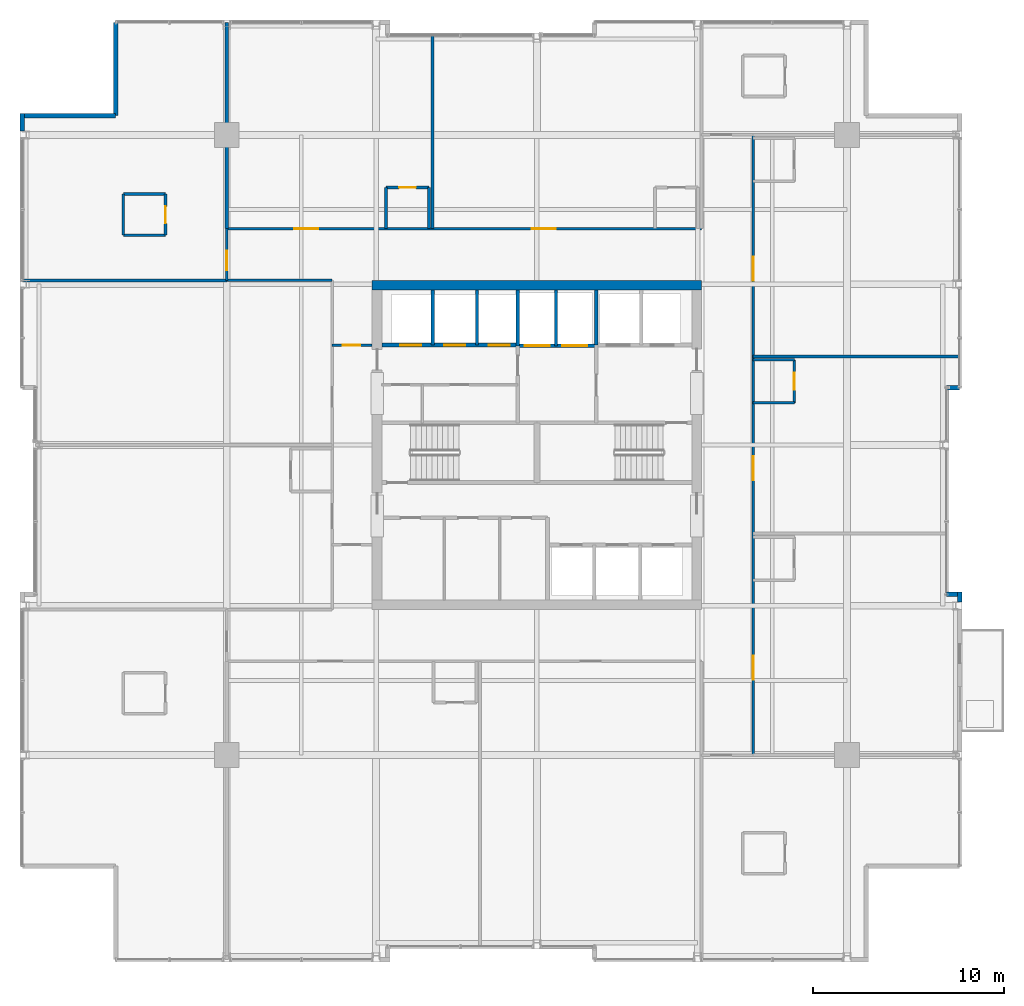
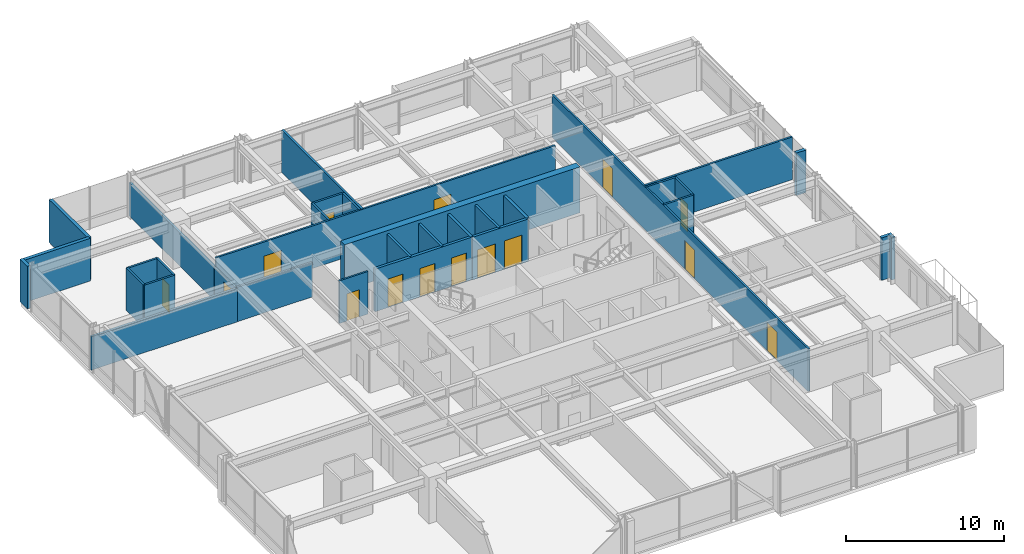
# One storey, part 29 of 33: 33 walls, 15 doors, 15 openings.
"""IFC4 building model written with IfcOpenShell, lengths in metres."""

import ifcopenshell
import ifcopenshell.guid

model = None  # the IFC model being written
_history = None  # IfcOwnerHistory: only IFC2X3 demands one
_inside = {}  # id of a spatial element -> (the spatial element, [elements in it])
_under = {}  # id of a project, library or spatial element -> (it, [spatial elements below it])
_declared = {}  # id of a project -> (the project, [libraries it declares])
_typed = {}  # id of a type object -> (the type object, [elements of that type])
_made_of = {}  # id of a material, layer set ... -> (it, [elements and type objects made of it])


def new_model(schema):
    """Start an empty IFC model of exactly this schema.

    Asked for "IFC4X3", IfcOpenShell would pick the latest addendum, in which some entities
    have other attributes; the version numbers below select the first issue.
    IFC2X3 requires an IfcOwnerHistory on every rooted entity: one is made here for all.
    """
    global model, _history
    if schema == "IFC4X3":
        model = ifcopenshell.file(schema_version=(4, 3, 0, 0))
    else:
        model = ifcopenshell.file(schema=schema)
    _inside.clear()
    _under.clear()
    _declared.clear()
    _typed.clear()
    _made_of.clear()
    _history = None
    if model.schema == "IFC2X3":
        org = make("IfcOrganization", Name="unknown")
        user = make(
            "IfcPersonAndOrganization",
            ThePerson=make("IfcPerson", FamilyName="unknown"),
            TheOrganization=org,
        )
        app = make(
            "IfcApplication",
            ApplicationDeveloper=org,
            Version="unknown",
            ApplicationFullName="unknown",
            ApplicationIdentifier="unknown",
        )
        _history = make(
            "IfcOwnerHistory",
            OwningUser=user,
            OwningApplication=app,
            ChangeAction="ADDED",
            CreationDate=0,
        )
    return model


def make(cls, **values):
    """One entity of the class cls with the attributes given. An attribute that is None is left unset."""
    return model.create_entity(
        cls, **{name: value for name, value in values.items() if value is not None}
    )


def rooted(cls, **values):
    """An entity with a GlobalId (a new one), such as an element, a storey or a relation."""
    return make(cls, GlobalId=ifcopenshell.guid.new(), OwnerHistory=_history, **values)


def si_unit(unit_type, name, prefix=None):
    """IfcSIUnit, for example si_unit("LENGTHUNIT", "METRE", prefix="MILLI")."""
    return make("IfcSIUnit", UnitType=unit_type, Prefix=prefix, Name=name)


def assignment(units):
    """IfcUnitAssignment: the units of a project."""
    return None if units is None else make("IfcUnitAssignment", Units=units)


def point(xyz):
    """IfcCartesianPoint."""
    return None if xyz is None else make("IfcCartesianPoint", Coordinates=xyz)


def direction(xyz):
    """IfcDirection."""
    return None if xyz is None else make("IfcDirection", DirectionRatios=xyz)


def frame(location, z_axis=None, x_axis=None):
    """IfcAxis2Placement3D, a coordinate frame: its origin and axes. An axis left out is left unset."""
    return make(
        "IfcAxis2Placement3D",
        Location=point(location),
        Axis=direction(z_axis),
        RefDirection=direction(x_axis),
    )


def frame_2d(location, x_axis=None):
    """IfcAxis2Placement2D, a coordinate frame in the plane: its origin and x axis."""
    return make(
        "IfcAxis2Placement2D", Location=point(location), RefDirection=direction(x_axis)
    )


def origin():
    """The frame at (0, 0, 0) with its axes left unset."""
    return frame((0.0, 0.0, 0.0))


def place(relative_to, where):
    """IfcLocalPlacement: puts the frame where relative to a parent placement (None: the world)."""
    return make(
        "IfcLocalPlacement", PlacementRelTo=relative_to, RelativePlacement=where
    )


def context(
    kind, dimensions, precision=None, world=None, true_north=None, identifier=None
):
    """IfcGeometricRepresentationContext, for example the 3D "Model" context."""
    return make(
        "IfcGeometricRepresentationContext",
        ContextIdentifier=identifier,
        ContextType=kind,
        CoordinateSpaceDimension=dimensions,
        Precision=precision,
        WorldCoordinateSystem=world,
        TrueNorth=true_north,
    )


def subcontext(parent, identifier, kind, view, scale=None):
    """IfcGeometricRepresentationSubContext, for example "Body" below "Model"."""
    return make(
        "IfcGeometricRepresentationSubContext",
        ContextIdentifier=identifier,
        ContextType=kind,
        ParentContext=parent,
        TargetScale=scale,
        TargetView=view,
    )


def project(units=None, contexts=None):
    """IfcProject with its units and contexts."""
    return rooted(
        "IfcProject",
        Name="project",
        RepresentationContexts=contexts,
        UnitsInContext=assignment(units),
    )


def spatial(cls, under=None, at=None, **own):
    """A site, building, storey or space (cls), placed at a placement, below another one or the project."""
    s = rooted(cls, ObjectPlacement=at, **own)
    if under is not None:
        _under.setdefault(under.id(), (under, []))[1].append(s)
    return s


def profile(cls, at=None, kind="AREA", **sizes):
    """A parametric profile (cls). Its sizes go by their IFC names, for example OverallWidth=200.0."""
    return make(cls, ProfileType=kind, Position=at, **sizes)


def rectangle(**sizes):
    """IfcRectangleProfileDef."""
    return profile("IfcRectangleProfileDef", **sizes)


def extrude(swept, where, along, depth):
    """IfcExtrudedAreaSolid: the profile swept, set in the frame where, extruded along a direction by depth."""
    return make(
        "IfcExtrudedAreaSolid",
        SweptArea=swept,
        Position=where,
        ExtrudedDirection=direction(along),
        Depth=depth,
    )


def shape(context_of_items, identifier, shape_type, items):
    """IfcShapeRepresentation: the items that make up one representation, for example the "Body"."""
    return make(
        "IfcShapeRepresentation",
        ContextOfItems=context_of_items,
        RepresentationIdentifier=identifier,
        RepresentationType=shape_type,
        Items=items,
    )


def material(Name=None, Category=None):
    """IfcMaterial."""
    return make("IfcMaterial", Name=Name, Category=Category)


def layer(
    of_material, thickness, ventilated=None, Name=None, Category=None, Priority=None
):
    """IfcMaterialLayer: one layer of a wall or slab, of a material (None: an air gap)."""
    return make(
        "IfcMaterialLayer",
        Material=of_material,
        LayerThickness=thickness,
        IsVentilated=ventilated,
        Name=Name,
        Category=Category,
        Priority=Priority,
    )


def layer_set(layers, Name=None):
    """IfcMaterialLayerSet."""
    return make("IfcMaterialLayerSet", MaterialLayers=layers, LayerSetName=Name)


def made_of(thing, what):
    """Note that an element or type object is made of a material, layer set ...; save() writes the relation."""
    if what is not None:
        _made_of.setdefault(what.id(), (what, []))[1].append(thing)
    return thing


def type_object(cls, material=None, **own):
    """A type object (cls), such as IfcWallType, which elements share."""
    return made_of(rooted(cls, **own), material)


def element(
    cls,
    number,
    at=None,
    inside=None,
    cuts=None,
    type_object=None,
    material=None,
    context=None,
    identifier="Body",
    shape_type=None,
    held_by="IfcProductDefinitionShape",
    body=None,
    shapes=None,
    **own,
):
    """One element of the class cls, such as IfcWall. Its Tag is "e" and its number.

    at: its placement. inside: the storey or other place that contains it. cuts: it is an
    opening in that element (IfcRelVoidsElement). A single representation is given by context,
    identifier, shape_type and body (its items); several are given by shapes. held_by: the class
    of the entity that holds the representations. save() writes the other relations.
    """
    e = rooted(cls, Tag="e%d" % number, ObjectPlacement=at, **own)
    if body is not None:
        shapes = [shape(context, identifier, shape_type, body)]
    if shapes is not None:
        e.Representation = make(held_by, Representations=shapes)
    if inside is not None:
        _inside.setdefault(inside.id(), (inside, []))[1].append(e)
    if cuts is not None:
        rooted(
            "IfcRelVoidsElement", RelatingBuildingElement=cuts, RelatedOpeningElement=e
        )
    if type_object is not None:
        _typed.setdefault(type_object.id(), (type_object, []))[1].append(e)
    return made_of(e, material)


def fill(opening, filler):
    """IfcRelFillsElement: the door or window that sits in an opening."""
    return rooted(
        "IfcRelFillsElement",
        RelatingOpeningElement=opening,
        RelatedBuildingElement=filler,
    )


def aggregate(whole, parts):
    """IfcRelAggregates: a whole, such as a stair, and the parts it consists of."""
    return rooted("IfcRelAggregates", RelatingObject=whole, RelatedObjects=parts)


def save(model, path):
    """Write the relations noted so far, then the file.

    IfcRelAggregates (storeys below a building ...), IfcRelContainedInSpatialStructure (elements
    in a storey), IfcRelDefinesByType, IfcRelAssociatesMaterial and IfcRelDeclares: one each for
    every whole, place, type object, material and project.
    """
    for whole, parts in _under.values():
        aggregate(whole, parts)
    for where, things in _inside.values():
        rooted(
            "IfcRelContainedInSpatialStructure",
            RelatedElements=things,
            RelatingStructure=where,
        )
    for kind, things in _typed.values():
        rooted("IfcRelDefinesByType", RelatedObjects=things, RelatingType=kind)
    for what, things in _made_of.values():
        rooted("IfcRelAssociatesMaterial", RelatedObjects=things, RelatingMaterial=what)
    for by, libraries in _declared.values():
        rooted("IfcRelDeclares", RelatingContext=by, RelatedDefinitions=libraries)
    model.write(path)


model = new_model("IFC4")

# Units and contexts
model_context = context("Model", 3, precision=1e-05, world=origin(), true_north=direction((0.0, 1.0)))
body_context = subcontext(model_context, "Body", "Model", "MODEL_VIEW")
ifc_project = project(units=[si_unit("LENGTHUNIT", "METRE"), si_unit("AREAUNIT", "SQUARE_METRE"), si_unit("VOLUMEUNIT", "CUBIC_METRE"), si_unit("PLANEANGLEUNIT", "RADIAN"), si_unit("MASSUNIT", "GRAM", prefix="KILO")], contexts=[model_context])

# Site, building, storey
site_placement = place(None, origin())
site = spatial("IfcSite", under=ifc_project, at=site_placement, CompositionType="ELEMENT")
building_placement = place(site_placement, origin())
building = spatial("IfcBuilding", under=site, at=building_placement, Name="Drelvath Grand Hotel", CompositionType="ELEMENT")
storey_placement = place(building_placement, frame((0.0, 0.0, 161.050048828125)))
storey = spatial("IfcBuildingStorey", under=building, at=storey_placement, Name="L41", CompositionType="ELEMENT", Elevation=161.050048828125)

# Wall
ifc_material_1 = material(Name="Concrete C40/50", Category="concrete")
ifc_layer_1 = layer(ifc_material_1, 0.199951171875)
ifc_layer_set_1 = layer_set([ifc_layer_1], Name="Concrete C40/50")
wall_type_1 = type_object("IfcWallType", Name="Core Hoistway Fire Wall 200", PredefinedType="SOLIDWALL", material=ifc_layer_set_1)
wall_1_placement = place(storey_placement, frame((3.10009765625, 32.219970703125, 0.0), z_axis=(0.0, 0.0, 1.0), x_axis=(0.0, 1.0, 0.0)))
element("IfcWall", 1, at=wall_1_placement, inside=storey, type_object=wall_type_1, Name="L41 FSAE Hoistway West Wall", PredefinedType="SOLIDWALL", context=body_context, shape_type="SweptSolid", body=[
    extrude(rectangle(XDim=2.880126953125, YDim=0.199951171875, at=frame_2d((1.43994140625, 0.0))), origin(), (0.0, 0.0, 1.0), 3.2900390625),
])

# Wall, openings, doors
wall_2_placement = place(storey_placement, frame((-1.0, 32.179931640625, 0.0), z_axis=(0.0, 0.0, 1.0), x_axis=(1.0, 0.0, 0.0)))
wall_2 = element("IfcWall", 2, at=wall_2_placement, inside=storey, type_object=wall_type_1, Name="L41 Service Lift Hoistway Wall", PredefinedType="SOLIDWALL", context=body_context, shape_type="SweptSolid", body=[
    extrude(rectangle(XDim=4.10009765625, YDim=0.199951171875, at=frame_2d((2.050048828125, 0.0))), origin(), (0.0, 0.0, 1.0), 3.2900390625),
])
opening_1_placement = place(wall_2_placement, frame((0.3701171875, 0.0, 0.0)))
opening_1 = element("IfcOpeningElement", 3, at=opening_1_placement, cuts=wall_2, Name="Opening LD-SV-2", PredefinedType="OPENING", context=body_context, shape_type="SweptSolid", body=[
    extrude(rectangle(XDim=1.300048828125, YDim=2.199951171875, at=frame_2d((0.64990234375, 1.10009765625))), frame((0.0, 0.10986328125, 0.0), z_axis=(0.0, -1.0, 0.0), x_axis=(1.0, 0.0, 0.0)), (0.0, 0.0, 1.0), 0.219970703125),
])
opening_2_placement = place(wall_2_placement, frame((2.330078125, 0.0, 0.0)))
opening_2 = element("IfcOpeningElement", 4, at=opening_2_placement, cuts=wall_2, Name="Opening LD-SV-1", PredefinedType="OPENING", context=body_context, shape_type="SweptSolid", body=[
    extrude(rectangle(XDim=1.300048828125, YDim=2.199951171875, at=frame_2d((0.64990234375, 1.10009765625))), frame((0.0, 0.10986328125, 0.0), z_axis=(0.0, -1.0, 0.0), x_axis=(1.0, 0.0, 0.0)), (0.0, 0.0, 1.0), 0.219970703125),
])
ifc_material_2 = material(Name="Stainless Steel S355", Category="steel")
door_type_1 = type_object("IfcDoorType", Name="Service Lift Sliding Landing Door 1300x2200", OperationType="NOTDEFINED", PredefinedType="DOOR", material=ifc_material_2)
door_1_placement = place(opening_1_placement, origin())
door_1 = element("IfcDoor", 5, at=door_1_placement, inside=storey, type_object=door_type_1, Name="L41 Lift SV-2 Landing Door", OperationType="SLIDING_TO_LEFT", OverallHeight=2.199951171875, OverallWidth=1.300048828125, PredefinedType="DOOR", context=body_context, shape_type="SweptSolid", body=[
    extrude(rectangle(XDim=1.300048828125, YDim=2.199951171875, at=frame_2d((0.64990234375, 1.10009765625))), frame((0.0, 0.02490234375, 0.0), z_axis=(0.0, -1.0, 0.0), x_axis=(1.0, 0.0, 0.0)), (0.0, 0.0, 1.0), 0.050048828125),
])
fill(opening_1, door_1)
door_2_placement = place(opening_2_placement, origin())
door_2 = element("IfcDoor", 6, at=door_2_placement, inside=storey, type_object=door_type_1, Name="L41 Lift SV-1 Landing Door", OperationType="SLIDING_TO_LEFT", OverallHeight=2.199951171875, OverallWidth=1.300048828125, PredefinedType="DOOR", context=body_context, shape_type="SweptSolid", body=[
    extrude(rectangle(XDim=1.300048828125, YDim=2.199951171875, at=frame_2d((0.64990234375, 1.10009765625))), frame((0.0, 0.02490234375, 0.0), z_axis=(0.0, -1.0, 0.0), x_axis=(1.0, 0.0, 0.0)), (0.0, 0.0, 1.0), 0.050048828125),
])
fill(opening_2, door_2)

# Wall
wall_3_placement = place(storey_placement, frame((-1.0, 32.179931640625, 0.0), z_axis=(0.0, 0.0, 1.0), x_axis=(0.0, 1.0, 0.0)))
element("IfcWall", 7, at=wall_3_placement, inside=storey, type_object=wall_type_1, Name="L41 Service Lift West Wall", PredefinedType="SOLIDWALL", context=body_context, shape_type="SweptSolid", body=[
    extrude(rectangle(XDim=2.920166015625, YDim=0.199951171875, at=frame_2d((1.4599609375, 0.0))), origin(), (0.0, 0.0, 1.0), 3.2900390625),
])

# Wall, openings, doors
wall_4_placement = place(storey_placement, frame((-8.10009765625, 32.219970703125, 0.0), z_axis=(0.0, 0.0, 1.0), x_axis=(1.0, 0.0, 0.0)))
wall_4 = element("IfcWall", 8, at=wall_4_placement, inside=storey, type_object=wall_type_1, Name="L41 Bank 3 Hoistway Wall", PredefinedType="SOLIDWALL", context=body_context, shape_type="SweptSolid", body=[
    extrude(rectangle(XDim=7.10009765625, YDim=0.199951171875, at=frame_2d((3.550048828125, 0.0))), origin(), (0.0, 0.0, 1.0), 3.2900390625),
])
opening_3_placement = place(wall_4_placement, frame((0.949951171875, 0.0, 0.0)))
opening_3 = element("IfcOpeningElement", 9, at=opening_3_placement, cuts=wall_4, Name="Opening LD-PE-7", PredefinedType="OPENING", context=body_context, shape_type="SweptSolid", body=[
    extrude(rectangle(XDim=1.10009765625, YDim=2.199951171875, at=frame_2d((0.550048828125, 1.10009765625))), frame((0.0, 0.10986328125, 0.0), z_axis=(0.0, -1.0, 0.0), x_axis=(1.0, 0.0, 0.0)), (0.0, 0.0, 1.0), 0.219970703125),
])
opening_4_placement = place(wall_4_placement, frame((3.27001953125, 0.0, 0.0)))
opening_4 = element("IfcOpeningElement", 10, at=opening_4_placement, cuts=wall_4, Name="Opening LD-PE-8", PredefinedType="OPENING", context=body_context, shape_type="SweptSolid", body=[
    extrude(rectangle(XDim=1.10009765625, YDim=2.199951171875, at=frame_2d((0.550048828125, 1.10009765625))), frame((0.0, 0.10986328125, 0.0), z_axis=(0.0, -1.0, 0.0), x_axis=(1.0, 0.0, 0.0)), (0.0, 0.0, 1.0), 0.219970703125),
])
opening_5_placement = place(wall_4_placement, frame((5.590087890625, 0.0, 0.0)))
opening_5 = element("IfcOpeningElement", 11, at=opening_5_placement, cuts=wall_4, Name="Opening LD-PE-9", PredefinedType="OPENING", context=body_context, shape_type="SweptSolid", body=[
    extrude(rectangle(XDim=1.10009765625, YDim=2.199951171875, at=frame_2d((0.550048828125, 1.10009765625))), frame((0.0, 0.10986328125, 0.0), z_axis=(0.0, -1.0, 0.0), x_axis=(1.0, 0.0, 0.0)), (0.0, 0.0, 1.0), 0.219970703125),
])
door_type_2 = type_object("IfcDoorType", Name="Passenger Lift Sliding Landing Door 1100x2200", OperationType="NOTDEFINED", PredefinedType="DOOR", material=ifc_material_2)
door_3_placement = place(opening_3_placement, origin())
door_3 = element("IfcDoor", 12, at=door_3_placement, inside=storey, type_object=door_type_2, Name="L41 Lift PE-7 Landing Door", OperationType="SLIDING_TO_LEFT", OverallHeight=2.199951171875, OverallWidth=1.10009765625, PredefinedType="DOOR", context=body_context, shape_type="SweptSolid", body=[
    extrude(rectangle(XDim=1.10009765625, YDim=2.199951171875, at=frame_2d((0.550048828125, 1.10009765625))), frame((0.0, 0.02490234375, 0.0), z_axis=(0.0, -1.0, 0.0), x_axis=(1.0, 0.0, 0.0)), (0.0, 0.0, 1.0), 0.050048828125),
])
fill(opening_3, door_3)
door_4_placement = place(opening_4_placement, origin())
door_4 = element("IfcDoor", 13, at=door_4_placement, inside=storey, type_object=door_type_2, Name="L41 Lift PE-8 Landing Door", OperationType="SLIDING_TO_LEFT", OverallHeight=2.199951171875, OverallWidth=1.10009765625, PredefinedType="DOOR", context=body_context, shape_type="SweptSolid", body=[
    extrude(rectangle(XDim=1.10009765625, YDim=2.199951171875, at=frame_2d((0.550048828125, 1.10009765625))), frame((0.0, 0.02490234375, 0.0), z_axis=(0.0, -1.0, 0.0), x_axis=(1.0, 0.0, 0.0)), (0.0, 0.0, 1.0), 0.050048828125),
])
fill(opening_4, door_4)
door_5_placement = place(opening_5_placement, origin())
door_5 = element("IfcDoor", 14, at=door_5_placement, inside=storey, type_object=door_type_2, Name="L41 Lift PE-9 Landing Door", OperationType="SLIDING_TO_LEFT", OverallHeight=2.199951171875, OverallWidth=1.10009765625, PredefinedType="DOOR", context=body_context, shape_type="SweptSolid", body=[
    extrude(rectangle(XDim=1.10009765625, YDim=2.199951171875, at=frame_2d((0.550048828125, 1.10009765625))), frame((0.0, 0.02490234375, 0.0), z_axis=(0.0, -1.0, 0.0), x_axis=(1.0, 0.0, 0.0)), (0.0, 0.0, 1.0), 0.050048828125),
])
fill(opening_5, door_5)

# Walls
ifc_material_3 = material(Name="Gypsum Fireboard Partition")
ifc_layer_2 = layer(ifc_material_3, 0.1650390625)
ifc_layer_set_2 = layer_set([ifc_layer_2], Name="Gypsum Fireboard Partition")
wall_type_2 = type_object("IfcWallType", Name="Core Shaft Partition 165", PredefinedType="PARTITIONING", material=ifc_layer_set_2)
wall_5_placement = place(storey_placement, frame((1.0, 32.179931640625, 0.0), z_axis=(0.0, 0.0, 1.0), x_axis=(0.0, 1.0, 0.0)))
element("IfcWall", 15, at=wall_5_placement, inside=storey, type_object=wall_type_2, Name="L41 Service Lift Divider", PredefinedType="PARTITIONING", context=body_context, shape_type="SweptSolid", body=[
    extrude(rectangle(XDim=2.920166015625, YDim=0.1650390625, at=frame_2d((1.4599609375, 0.0))), origin(), (0.0, 0.0, 1.0), 3.2900390625),
])
for number, where, z_axis, x_axis, name in (
    (16, (-5.43994140625, 32.219970703125, 0.0), (0.0, 0.0, 1.0), (0.0, 1.0, 0.0), "L41 Lift PE-7/8 Divider"),
    (17, (-3.1201171875, 32.219970703125, 0.0), (0.0, 0.0, 1.0), (0.0, 1.0, 0.0), "L41 Lift PE-8/9 Divider"),
):
    element("IfcWall", number, at=place(storey_placement, frame(where, z_axis=z_axis, x_axis=x_axis)), inside=storey, type_object=wall_type_2, Name=name, PredefinedType="PARTITIONING", context=body_context, shape_type="SweptSolid", body=[
        extrude(rectangle(XDim=2.880126953125, YDim=0.1650390625, at=frame_2d((1.43994140625, 0.0))), origin(), (0.0, 0.0, 1.0), 3.2900390625),
    ])

# Wall, opening, door
ifc_layer_3 = layer(ifc_material_3, 0.135009765625)
ifc_layer_set_3 = layer_set([ifc_layer_3], Name="Gypsum Fireboard Partition")
wall_type_3 = type_object("IfcWallType", Name="Corridor Fire Barrier Wall 135", PredefinedType="PARTITIONING", material=ifc_layer_set_3)
wall_6_placement = place(storey_placement, frame((-10.699951171875, 32.199951171875, 0.0), z_axis=(0.0, 0.0, 1.0), x_axis=(1.0, 0.0, 0.0)))
wall_6 = element("IfcWall", 18, at=wall_6_placement, inside=storey, type_object=wall_type_3, Name="L41 West Foyer North Wall", PredefinedType="PARTITIONING", context=body_context, shape_type="SweptSolid", body=[
    extrude(rectangle(XDim=2.099853515625, YDim=0.135009765625, at=frame_2d((1.0498046875, 0.0))), origin(), (0.0, 0.0, 1.0), 3.2900390625),
])
opening_6_placement = place(wall_6_placement, frame((0.550048828125, 0.0, 0.0)))
opening_6 = element("IfcOpeningElement", 19, at=opening_6_placement, cuts=wall_6, Name="Opening D-T3G2-025", PredefinedType="OPENING", context=body_context, shape_type="SweptSolid", body=[
    extrude(rectangle(XDim=0.919921875, YDim=2.10009765625, at=frame_2d((0.4599609375, 1.050048828125))), frame((0.0, 0.077392578125, 0.0), z_axis=(0.0, -1.0, 0.0), x_axis=(1.0, 0.0, 0.0)), (0.0, 0.0, 1.0), 0.155029296875),
])
ifc_material_4 = material(Name="Painted Steel S275", Category="steel")
door_type_3 = type_object("IfcDoorType", Name="Staff Utility Door 920x2100", OperationType="NOTDEFINED", PredefinedType="DOOR", material=ifc_material_4)
door_6_placement = place(opening_6_placement, origin())
door_6 = element("IfcDoor", 20, at=door_6_placement, inside=storey, type_object=door_type_3, Name="L41 West Pantry Door", OperationType="SINGLE_SWING_LEFT", OverallHeight=2.10009765625, OverallWidth=0.919921875, PredefinedType="DOOR", context=body_context, shape_type="SweptSolid", body=[
    extrude(rectangle(XDim=0.919921875, YDim=2.10009765625, at=frame_2d((0.4599609375, 1.050048828125))), frame((0.0, 0.02490234375, 0.0), z_axis=(0.0, -1.0, 0.0), x_axis=(1.0, 0.0, 0.0)), (0.0, 0.0, 1.0), 0.050048828125),
])
fill(opening_6, door_6)

# Wall
wall_7_placement = place(storey_placement, frame((-16.199951171875, 35.60009765625, 0.0), z_axis=(0.0, 0.0, 1.0), x_axis=(1.0, 0.0, 0.0)))
element("IfcWall", 21, at=wall_7_placement, inside=storey, type_object=wall_type_3, Name="L41 NW Stub South Wall", PredefinedType="PARTITIONING", context=body_context, shape_type="SweptSolid", body=[
    extrude(rectangle(XDim=5.5, YDim=0.135009765625, at=frame_2d((2.75, 0.0))), origin(), (0.0, 0.0, 1.0), 2.667236328125),
])

# Wall, openings, doors
wall_8_placement = place(storey_placement, frame((-16.199951171875, 38.300048828125, 0.0), z_axis=(0.0, 0.0, 1.0), x_axis=(1.0, 0.0, 0.0)))
wall_8 = element("IfcWall", 22, at=wall_8_placement, inside=storey, type_object=wall_type_3, Name="L41 North Stub Corridor Wall", PredefinedType="PARTITIONING", context=body_context, shape_type="SweptSolid", body=[
    extrude(rectangle(XDim=24.800048828125, YDim=0.135009765625, at=frame_2d((12.39990234375, 0.0))), origin(), (0.0, 0.0, 1.0), 3.2900390625),
])
opening_7_placement = place(wall_8_placement, frame((3.5283203125, 0.0, 0.0)))
opening_7 = element("IfcOpeningElement", 23, at=opening_7_placement, cuts=wall_8, Name="Opening D-T3G2-038", PredefinedType="OPENING", context=body_context, shape_type="SweptSolid", body=[
    extrude(rectangle(XDim=1.260009765625, YDim=2.199951171875, at=frame_2d((0.6298828125, 1.10009765625))), frame((0.0, 0.077392578125, 0.0), z_axis=(0.0, -1.0, 0.0), x_axis=(1.0, 0.0, 0.0)), (0.0, 0.0, 1.0), 0.155029296875),
])
opening_8_placement = place(wall_8_placement, frame((15.928466796875, 0.0, 0.0)))
opening_8 = element("IfcOpeningElement", 24, at=opening_8_placement, cuts=wall_8, Name="Opening D-T3G2-040", PredefinedType="OPENING", context=body_context, shape_type="SweptSolid", body=[
    extrude(rectangle(XDim=1.260009765625, YDim=2.199951171875, at=frame_2d((0.6298828125, 1.10009765625))), frame((0.0, 0.077392578125, 0.0), z_axis=(0.0, -1.0, 0.0), x_axis=(1.0, 0.0, 0.0)), (0.0, 0.0, 1.0), 0.155029296875),
])
ifc_material_5 = material(Name="Hardwood Walnut Timber", Category="wood")
door_type_4 = type_object("IfcDoorType", Name="Suite Entrance Fire Door 1260x2200", OperationType="NOTDEFINED", PredefinedType="DOOR", material=ifc_material_5)
door_7_placement = place(opening_7_placement, origin())
door_7 = element("IfcDoor", 25, at=door_7_placement, inside=storey, type_object=door_type_4, Name="L41 Executive Suite Entry Door", OperationType="SINGLE_SWING_RIGHT", OverallHeight=2.199951171875, OverallWidth=1.260009765625, PredefinedType="DOOR", context=body_context, shape_type="SweptSolid", body=[
    extrude(rectangle(XDim=1.260009765625, YDim=2.199951171875, at=frame_2d((0.6298828125, 1.10009765625))), frame((0.0, 0.02490234375, 0.0), z_axis=(0.0, -1.0, 0.0), x_axis=(1.0, 0.0, 0.0)), (0.0, 0.0, 1.0), 0.050048828125),
])
fill(opening_7, door_7)
door_8_placement = place(opening_8_placement, origin())
door_8 = element("IfcDoor", 26, at=door_8_placement, inside=storey, type_object=door_type_4, Name="L41 Executive Suite Entry Door", OperationType="SINGLE_SWING_RIGHT", OverallHeight=2.199951171875, OverallWidth=1.260009765625, PredefinedType="DOOR", context=body_context, shape_type="SweptSolid", body=[
    extrude(rectangle(XDim=1.260009765625, YDim=2.199951171875, at=frame_2d((0.6298828125, 1.10009765625))), frame((0.0, 0.02490234375, 0.0), z_axis=(0.0, -1.0, 0.0), x_axis=(1.0, 0.0, 0.0)), (0.0, 0.0, 1.0), 0.050048828125),
])
fill(opening_8, door_8)

wall_9_placement = place(storey_placement, frame((11.300048828125, 10.800048828125, 0.0), z_axis=(0.0, 0.0, 1.0), x_axis=(0.0, 1.0, 0.0)))
wall_9 = element("IfcWall", 27, at=wall_9_placement, inside=storey, type_object=wall_type_3, Name="L41 East Spine Corridor Wall", PredefinedType="PARTITIONING", context=body_context, shape_type="SweptSolid", body=[
    extrude(rectangle(XDim=32.39990234375, YDim=0.135009765625, at=frame_2d((16.199951171875, 0.0))), origin(), (0.0, 0.0, 1.0), 3.2900390625),
])
opening_9_placement = place(wall_9_placement, frame((3.940673828125, 0.0, 0.0)))
opening_9 = element("IfcOpeningElement", 28, at=opening_9_placement, cuts=wall_9, Name="Opening D-T3G2-042", PredefinedType="OPENING", context=body_context, shape_type="SweptSolid", body=[
    extrude(rectangle(XDim=1.260009765625, YDim=2.199951171875, at=frame_2d((0.6298828125, 1.10009765625))), frame((0.0, 0.077392578125, 0.0), z_axis=(0.0, -1.0, 0.0), x_axis=(1.0, 0.0, 0.0)), (0.0, 0.0, 1.0), 0.155029296875),
])
opening_10_placement = place(wall_9_placement, frame((14.35498046875, 0.0, 0.0)))
opening_10 = element("IfcOpeningElement", 29, at=opening_10_placement, cuts=wall_9, Name="Opening D-T3G2-044", PredefinedType="OPENING", context=body_context, shape_type="SweptSolid", body=[
    extrude(rectangle(XDim=1.260009765625, YDim=2.199951171875, at=frame_2d((0.6298828125, 1.10009765625))), frame((0.0, 0.077392578125, 0.0), z_axis=(0.0, -1.0, 0.0), x_axis=(1.0, 0.0, 0.0)), (0.0, 0.0, 1.0), 0.155029296875),
])
opening_11_placement = place(wall_9_placement, frame((24.769287109375, 0.0, 0.0)))
opening_11 = element("IfcOpeningElement", 30, at=opening_11_placement, cuts=wall_9, Name="Opening D-T3G2-046", PredefinedType="OPENING", context=body_context, shape_type="SweptSolid", body=[
    extrude(rectangle(XDim=1.260009765625, YDim=2.199951171875, at=frame_2d((0.6298828125, 1.10009765625))), frame((0.0, 0.077392578125, 0.0), z_axis=(0.0, -1.0, 0.0), x_axis=(1.0, 0.0, 0.0)), (0.0, 0.0, 1.0), 0.155029296875),
])
door_9_placement = place(opening_9_placement, origin())
door_9 = element("IfcDoor", 31, at=door_9_placement, inside=storey, type_object=door_type_4, Name="L41 Executive Suite Entry Door", OperationType="SINGLE_SWING_RIGHT", OverallHeight=2.199951171875, OverallWidth=1.260009765625, PredefinedType="DOOR", context=body_context, shape_type="SweptSolid", body=[
    extrude(rectangle(XDim=1.260009765625, YDim=2.199951171875, at=frame_2d((0.6298828125, 1.10009765625))), frame((0.0, 0.02490234375, 0.0), z_axis=(0.0, -1.0, 0.0), x_axis=(1.0, 0.0, 0.0)), (0.0, 0.0, 1.0), 0.050048828125),
])
fill(opening_9, door_9)
door_10_placement = place(opening_10_placement, origin())
door_10 = element("IfcDoor", 32, at=door_10_placement, inside=storey, type_object=door_type_4, Name="L41 Executive Suite Entry Door", OperationType="SINGLE_SWING_RIGHT", OverallHeight=2.199951171875, OverallWidth=1.260009765625, PredefinedType="DOOR", context=body_context, shape_type="SweptSolid", body=[
    extrude(rectangle(XDim=1.260009765625, YDim=2.199951171875, at=frame_2d((0.6298828125, 1.10009765625))), frame((0.0, 0.02490234375, 0.0), z_axis=(0.0, -1.0, 0.0), x_axis=(1.0, 0.0, 0.0)), (0.0, 0.0, 1.0), 0.050048828125),
])
fill(opening_10, door_10)
door_11_placement = place(opening_11_placement, origin())
door_11 = element("IfcDoor", 33, at=door_11_placement, inside=storey, type_object=door_type_4, Name="L41 Executive Suite Entry Door", OperationType="SINGLE_SWING_RIGHT", OverallHeight=2.199951171875, OverallWidth=1.260009765625, PredefinedType="DOOR", context=body_context, shape_type="SweptSolid", body=[
    extrude(rectangle(XDim=1.260009765625, YDim=2.199951171875, at=frame_2d((0.6298828125, 1.10009765625))), frame((0.0, 0.02490234375, 0.0), z_axis=(0.0, -1.0, 0.0), x_axis=(1.0, 0.0, 0.0)), (0.0, 0.0, 1.0), 0.050048828125),
])
fill(opening_11, door_11)

# Wall, opening, door
wall_10_placement = place(storey_placement, frame((-16.199951171875, 35.60009765625, 0.0), z_axis=(0.0, 0.0, 1.0), x_axis=(0.0, 1.0, 0.0)))
wall_10 = element("IfcWall", 34, at=wall_10_placement, inside=storey, type_object=wall_type_3, Name="L41 North Stub West End", PredefinedType="PARTITIONING", context=body_context, shape_type="SweptSolid", body=[
    extrude(rectangle(XDim=2.699951171875, YDim=0.135009765625, at=frame_2d((1.35009765625, 0.0))), origin(), (0.0, 0.0, 1.0), 2.57958984375),
])
opening_12_placement = place(wall_10_placement, frame((0.52001953125, 0.0, 0.0)))
opening_12 = element("IfcOpeningElement", 35, at=opening_12_placement, cuts=wall_10, Name="Opening D-T3G2-029", PredefinedType="OPENING", context=body_context, shape_type="SweptSolid", body=[
    extrude(rectangle(XDim=1.02001953125, YDim=2.14990234375, at=frame_2d((0.510009765625, 1.074951171875))), frame((0.0, 0.077392578125, 0.0), z_axis=(0.0, -1.0, 0.0), x_axis=(1.0, 0.0, 0.0)), (0.0, 0.0, 1.0), 0.155029296875),
])
door_type_5 = type_object("IfcDoorType", Name="Amenity Meeting Fire Door 1020x2150", OperationType="NOTDEFINED", PredefinedType="DOOR", material=ifc_material_5)
door_12_placement = place(opening_12_placement, origin())
door_12 = element("IfcDoor", 36, at=door_12_placement, inside=storey, type_object=door_type_5, Name="L41 Executive Suite Entry Door", OperationType="SINGLE_SWING_LEFT", OverallHeight=2.14990234375, OverallWidth=1.02001953125, PredefinedType="DOOR", context=body_context, shape_type="SweptSolid", body=[
    extrude(rectangle(XDim=1.02001953125, YDim=2.14990234375, at=frame_2d((0.510009765625, 1.074951171875))), frame((0.0, 0.02490234375, 0.0), z_axis=(0.0, -1.0, 0.0), x_axis=(1.0, 0.0, 0.0)), (0.0, 0.0, 1.0), 0.050048828125),
])
fill(opening_12, door_12)

# Walls
ifc_material_6 = material(Name="Moisture-Resistant Gypsum Board")
ifc_layer_4 = layer(ifc_material_6, 0.139892578125)
ifc_layer_set_4 = layer_set([ifc_layer_4], Name="Moisture-Resistant Gypsum Board")
wall_type_4 = type_object("IfcWallType", Name="En-Suite Plumbing Wall 140", PredefinedType="PLUMBINGWALL", material=ifc_layer_set_4)
for number, where, z_axis, x_axis, name in (
    (37, (-21.60009765625, 37.9599609375, 0.0), (0.0, 0.0, 1.0), (1.0, 0.0, 0.0), "L41 Corner En-Suite South"),
    (38, (-21.60009765625, 40.110107421875, 0.0), (0.0, 0.0, 1.0), (1.0, 0.0, 0.0), "L41 Corner En-Suite North"),
):
    element("IfcWall", number, at=place(storey_placement, frame(where, z_axis=z_axis, x_axis=x_axis)), inside=storey, type_object=wall_type_4, Name=name, PredefinedType="PLUMBINGWALL", context=body_context, shape_type="SweptSolid", body=[
        extrude(rectangle(XDim=2.2001953125, YDim=0.139892578125, at=frame_2d((1.10009765625, 0.0))), origin(), (0.0, 0.0, 1.0), 3.2900390625),
    ])
wall_11_placement = place(storey_placement, frame((-21.60009765625, 37.9599609375, 0.0), z_axis=(0.0, 0.0, 1.0), x_axis=(0.0, 1.0, 0.0)))
element("IfcWall", 39, at=wall_11_placement, inside=storey, type_object=wall_type_4, Name="L41 Corner En-Suite West", PredefinedType="PLUMBINGWALL", context=body_context, shape_type="SweptSolid", body=[
    extrude(rectangle(XDim=2.150146484375, YDim=0.139892578125, at=frame_2d((1.0751953125, 0.0))), origin(), (0.0, 0.0, 1.0), 3.2900390625),
])

# Wall, opening, door
wall_12_placement = place(storey_placement, frame((-19.39990234375, 37.9599609375, 0.0), z_axis=(0.0, 0.0, 1.0), x_axis=(0.0, 1.0, 0.0)))
wall_12 = element("IfcWall", 40, at=wall_12_placement, inside=storey, type_object=wall_type_4, Name="L41 Corner En-Suite East", PredefinedType="PLUMBINGWALL", context=body_context, shape_type="SweptSolid", body=[
    extrude(rectangle(XDim=2.150146484375, YDim=0.139892578125, at=frame_2d((1.0751953125, 0.0))), origin(), (0.0, 0.0, 1.0), 3.2900390625),
])
opening_13_placement = place(wall_12_placement, frame((0.6201171875, 0.0, 0.0)))
opening_13 = element("IfcOpeningElement", 41, at=opening_13_placement, cuts=wall_12, Name="Opening D-T3G2-028", PredefinedType="OPENING", context=body_context, shape_type="SweptSolid", body=[
    extrude(rectangle(XDim=0.8798828125, YDim=2.10009765625, at=frame_2d((0.43994140625, 1.050048828125))), frame((0.0, 0.079833984375, 0.0), z_axis=(0.0, -1.0, 0.0), x_axis=(1.0, 0.0, 0.0)), (0.0, 0.0, 1.0), 0.159912109375),
])
door_type_6 = type_object("IfcDoorType", Name="En-Suite Bathroom Door 880x2100", OperationType="NOTDEFINED", PredefinedType="DOOR", material=ifc_material_5)
door_13_placement = place(opening_13_placement, origin())
door_13 = element("IfcDoor", 42, at=door_13_placement, inside=storey, type_object=door_type_6, Name="L41 Corner En-Suite Door", OperationType="SINGLE_SWING_RIGHT", OverallHeight=2.10009765625, OverallWidth=0.8798828125, PredefinedType="DOOR", context=body_context, shape_type="SweptSolid", body=[
    extrude(rectangle(XDim=0.8798828125, YDim=2.10009765625, at=frame_2d((0.43994140625, 1.050048828125))), frame((0.0, 0.02490234375, 0.0), z_axis=(0.0, -1.0, 0.0), x_axis=(1.0, 0.0, 0.0)), (0.0, 0.0, 1.0), 0.050048828125),
])
fill(opening_13, door_13)

# Walls
for number, where, z_axis, x_axis, name in (
    (43, (-7.88330078125, 38.300048828125, 0.0), (0.0, 0.0, 1.0), (0.0, 1.0, 0.0), "L41 En-Suite Left Wall"),
    (44, (-5.63330078125, 38.300048828125, 0.0), (0.0, 0.0, 1.0), (0.0, 1.0, 0.0), "L41 En-Suite Right Wall"),
):
    element("IfcWall", number, at=place(storey_placement, frame(where, z_axis=z_axis, x_axis=x_axis)), inside=storey, type_object=wall_type_4, Name=name, PredefinedType="PLUMBINGWALL", context=body_context, shape_type="SweptSolid", body=[
        extrude(rectangle(XDim=2.14990234375, YDim=0.139892578125, at=frame_2d((1.074951171875, 0.0))), origin(), (0.0, 0.0, 1.0), 3.2900390625),
    ])

# Wall, opening, door
wall_13_placement = place(storey_placement, frame((-7.88330078125, 40.449951171875, 0.0), z_axis=(0.0, 0.0, 1.0), x_axis=(1.0, 0.0, 0.0)))
wall_13 = element("IfcWall", 45, at=wall_13_placement, inside=storey, type_object=wall_type_4, Name="L41 En-Suite Front Wall", PredefinedType="PLUMBINGWALL", context=body_context, shape_type="SweptSolid", body=[
    extrude(rectangle(XDim=2.25, YDim=0.139892578125, at=frame_2d((1.125, 0.0))), origin(), (0.0, 0.0, 1.0), 3.2900390625),
])
opening_14_placement = place(wall_13_placement, frame((0.68505859375, 0.0, 0.0)))
opening_14 = element("IfcOpeningElement", 46, at=opening_14_placement, cuts=wall_13, Name="Opening D-T3G2-037", PredefinedType="OPENING", context=body_context, shape_type="SweptSolid", body=[
    extrude(rectangle(XDim=0.8798828125, YDim=2.10009765625, at=frame_2d((0.43994140625, 1.050048828125))), frame((0.0, 0.079833984375, 0.0), z_axis=(0.0, -1.0, 0.0), x_axis=(1.0, 0.0, 0.0)), (0.0, 0.0, 1.0), 0.159912109375),
])
door_14_placement = place(opening_14_placement, origin())
door_14 = element("IfcDoor", 47, at=door_14_placement, inside=storey, type_object=door_type_6, Name="L41 En-Suite Bathroom Door", OperationType="SINGLE_SWING_LEFT", OverallHeight=2.10009765625, OverallWidth=0.8798828125, PredefinedType="DOOR", context=body_context, shape_type="SweptSolid", body=[
    extrude(rectangle(XDim=0.8798828125, YDim=2.10009765625, at=frame_2d((0.43994140625, 1.050048828125))), frame((0.0, 0.02490234375, 0.0), z_axis=(0.0, -1.0, 0.0), x_axis=(1.0, 0.0, 0.0)), (0.0, 0.0, 1.0), 0.050048828125),
])
fill(opening_14, door_14)

# Walls
for number, where, z_axis, x_axis, name in (
    (48, (11.300048828125, 29.198486328125, 0.0), (0.0, 0.0, 1.0), (1.0, 0.0, 0.0), "L41 En-Suite Left Wall"),
    (49, (11.300048828125, 31.448486328125, 0.0), (0.0, 0.0, 1.0), (1.0, 0.0, 0.0), "L41 En-Suite Right Wall"),
):
    element("IfcWall", number, at=place(storey_placement, frame(where, z_axis=z_axis, x_axis=x_axis)), inside=storey, type_object=wall_type_4, Name=name, PredefinedType="PLUMBINGWALL", context=body_context, shape_type="SweptSolid", body=[
        extrude(rectangle(XDim=2.14990234375, YDim=0.139892578125, at=frame_2d((1.074951171875, 0.0))), origin(), (0.0, 0.0, 1.0), 3.2900390625),
    ])

# Wall, opening, door
wall_14_placement = place(storey_placement, frame((13.449951171875, 29.198486328125, 0.0), z_axis=(0.0, 0.0, 1.0), x_axis=(0.0, 1.0, 0.0)))
wall_14 = element("IfcWall", 50, at=wall_14_placement, inside=storey, type_object=wall_type_4, Name="L41 En-Suite Front Wall", PredefinedType="PLUMBINGWALL", context=body_context, shape_type="SweptSolid", body=[
    extrude(rectangle(XDim=2.25, YDim=0.139892578125, at=frame_2d((1.125, 0.0))), origin(), (0.0, 0.0, 1.0), 3.2900390625),
])
opening_15_placement = place(wall_14_placement, frame((0.68505859375, 0.0, 0.0)))
opening_15 = element("IfcOpeningElement", 51, at=opening_15_placement, cuts=wall_14, Name="Opening D-T3G2-043", PredefinedType="OPENING", context=body_context, shape_type="SweptSolid", body=[
    extrude(rectangle(XDim=0.8798828125, YDim=2.10009765625, at=frame_2d((0.43994140625, 1.050048828125))), frame((0.0, 0.079833984375, 0.0), z_axis=(0.0, -1.0, 0.0), x_axis=(1.0, 0.0, 0.0)), (0.0, 0.0, 1.0), 0.159912109375),
])
door_15_placement = place(opening_15_placement, origin())
door_15 = element("IfcDoor", 52, at=door_15_placement, inside=storey, type_object=door_type_6, Name="L41 En-Suite Bathroom Door", OperationType="SINGLE_SWING_LEFT", OverallHeight=2.10009765625, OverallWidth=0.8798828125, PredefinedType="DOOR", context=body_context, shape_type="SweptSolid", body=[
    extrude(rectangle(XDim=0.8798828125, YDim=2.10009765625, at=frame_2d((0.43994140625, 1.050048828125))), frame((0.0, 0.02490234375, 0.0), z_axis=(0.0, -1.0, 0.0), x_axis=(1.0, 0.0, 0.0)), (0.0, 0.0, 1.0), 0.050048828125),
])
fill(opening_15, door_15)

# Walls
ifc_material_7 = material(Name="Gypsum Acoustic Partition")
ifc_layer_5 = layer(ifc_material_7, 0.14990234375)
ifc_layer_set_5 = layer_set([ifc_layer_5], Name="Gypsum Acoustic Partition")
wall_type_5 = type_object("IfcWallType", Name="Guestroom Demising Wall 150", PredefinedType="PARTITIONING", material=ifc_layer_set_5)
wall_15_placement = place(storey_placement, frame((-5.453369140625, 38.300048828125, 0.0), z_axis=(0.0, 0.0, 1.0), x_axis=(0.0, 1.0, 0.0)))
element("IfcWall", 53, at=wall_15_placement, inside=storey, type_object=wall_type_5, Name="L41 North Demising 1", PredefinedType="PARTITIONING", context=body_context, shape_type="SweptSolid", body=[
    extrude(rectangle(XDim=10.099853515625, YDim=0.14990234375, at=frame_2d((5.0498046875, 0.0))), origin(), (0.0, 0.0, 1.0), 3.2900390625),
])
wall_16_placement = place(storey_placement, frame((11.300048828125, 31.628662109375, 0.0), z_axis=(0.0, 0.0, 1.0), x_axis=(1.0, 0.0, 0.0)))
element("IfcWall", 54, at=wall_16_placement, inside=storey, type_object=wall_type_5, Name="L41 East Demising 2", PredefinedType="PARTITIONING", context=body_context, shape_type="SweptSolid", body=[
    extrude(rectangle(XDim=10.780029296875, YDim=0.14990234375, at=frame_2d((5.39013671875, 0.0))), origin(), (0.0, 0.0, 1.0), 3.2900390625),
])
ifc_layer_6 = layer(ifc_material_7, 0.1650390625)
ifc_layer_set_6 = layer_set([ifc_layer_6], Name="Gypsum Acoustic Partition")
wall_type_6 = type_object("IfcWallType", Name="Suite Demising Wall 165", PredefinedType="PARTITIONING", material=ifc_layer_set_6)
wall_17_placement = place(storey_placement, frame((-16.199951171875, 38.300048828125, 0.0), z_axis=(0.0, 0.0, 1.0), x_axis=(0.0, 1.0, 0.0)))
element("IfcWall", 55, at=wall_17_placement, inside=storey, type_object=wall_type_6, Name="L41 NW Suite East Wall", PredefinedType="PARTITIONING", context=body_context, shape_type="SweptSolid", body=[
    extrude(rectangle(XDim=10.780029296875, YDim=0.1650390625, at=frame_2d((5.39013671875, 0.0))), origin(), (0.0, 0.0, 1.0), 2.57958984375),
])
wall_18_placement = place(storey_placement, frame((-26.8798828125, 35.60009765625, 0.0), z_axis=(0.0, 0.0, 1.0), x_axis=(1.0, 0.0, 0.0)))
element("IfcWall", 56, at=wall_18_placement, inside=storey, type_object=wall_type_6, Name="L41 NW Suite South Wall", PredefinedType="PARTITIONING", context=body_context, shape_type="SweptSolid", body=[
    extrude(rectangle(XDim=10.679931640625, YDim=0.1650390625, at=frame_2d((5.33984375, 0.0))), origin(), (0.0, 0.0, 1.0), 2.57958984375),
])
ifc_material_8 = material(Name="Pale-Metal Insulated Aluminium Spandrel Assembly", Category="aluminium")
ifc_layer_7 = layer(ifc_material_8, 0.239990234375)
ifc_layer_set_7 = layer_set([ifc_layer_7], Name="Pale-Metal Insulated Aluminium Spandrel Assembly")
wall_type_7 = type_object("IfcWallType", Name="Tower Insulated Metal Spandrel Closure Wall 240", PredefinedType="STANDARD", material=ifc_layer_set_7)
wall_19_placement = place(storey_placement, frame((-26.8798828125, 43.400146484375, 0.0), z_axis=(0.0, 0.0, 1.0), x_axis=(0.0, 1.0, 0.0)))
element("IfcWall", 57, at=wall_19_placement, inside=storey, type_object=wall_type_7, Name="L41 Corner Pier Spandrel Wall WN3", PredefinedType="STANDARD", context=body_context, shape_type="SweptSolid", body=[
    extrude(rectangle(XDim=0.919921875, YDim=0.239990234375, at=frame_2d((0.4599609375, 0.0))), origin(), (0.0, 0.0, 1.0), 3.2900390625),
])
wall_20_placement = place(storey_placement, frame((22.080078125, 19.320068359375, 0.0), z_axis=(0.0, 0.0, 1.0), x_axis=(0.0, -1.0, 0.0)))
element("IfcWall", 58, at=wall_20_placement, inside=storey, type_object=wall_type_7, Name="L41 Corner Pier Spandrel Wall ES3", PredefinedType="STANDARD", context=body_context, shape_type="SweptSolid", body=[
    extrude(rectangle(XDim=0.52001953125, YDim=0.239990234375, at=frame_2d((0.260009765625, 0.0))), origin(), (0.0, 0.0, 1.0), 3.2900390625),
])
wall_21_placement = place(storey_placement, frame((-26.760009765625, 44.199951171875, 0.0), z_axis=(0.0, 0.0, 1.0), x_axis=(1.0, 0.0, 0.0)))
element("IfcWall", 59, at=wall_21_placement, inside=storey, type_object=wall_type_7, Name="L41 Notched Corner Return Spandrel Wall CNW1", PredefinedType="STANDARD", context=body_context, shape_type="SweptSolid", body=[
    extrude(rectangle(XDim=4.760009765625, YDim=0.239990234375, at=frame_2d((2.3798828125, 0.0))), origin(), (0.0, 0.0, 1.0), 3.2900390625),
])
wall_22_placement = place(storey_placement, frame((-22.0, 44.199951171875, 0.0), z_axis=(0.0, 0.0, 1.0), x_axis=(0.0, 1.0, 0.0)))
element("IfcWall", 60, at=wall_22_placement, inside=storey, type_object=wall_type_7, Name="L41 Notched Corner Return Spandrel Wall CNW2", PredefinedType="STANDARD", context=body_context, shape_type="SweptSolid", body=[
    extrude(rectangle(XDim=4.880126953125, YDim=0.239990234375, at=frame_2d((2.43994140625, 0.0))), origin(), (0.0, 0.0, 1.0), 3.2900390625),
])
wall_23_placement = place(storey_placement, frame((22.080078125, 30.0, 0.0), z_axis=(0.0, 0.0, 1.0), x_axis=(-1.0, 0.0, 0.0)))
element("IfcWall", 61, at=wall_23_placement, inside=storey, type_object=wall_type_7, Name="L41 Notched Corner Return Spandrel Wall RE1", PredefinedType="STANDARD", context=body_context, shape_type="SweptSolid", body=[
    extrude(rectangle(XDim=0.68017578125, YDim=0.239990234375, at=frame_2d((0.340087890625, 0.0))), origin(), (0.0, 0.0, 1.0), 3.2900390625),
])
wall_24_placement = place(storey_placement, frame((21.39990234375, 19.199951171875, 0.0), z_axis=(0.0, 0.0, 1.0), x_axis=(1.0, 0.0, 0.0)))
element("IfcWall", 62, at=wall_24_placement, inside=storey, type_object=wall_type_7, Name="L41 Notched Corner Return Spandrel Wall RE2", PredefinedType="STANDARD", context=body_context, shape_type="SweptSolid", body=[
    extrude(rectangle(XDim=0.56005859375, YDim=0.239990234375, at=frame_2d((0.280029296875, 0.0))), origin(), (0.0, 0.0, 1.0), 3.2900390625),
])
ifc_material_9 = material(Name="Concrete f'c 55 MPa", Category="concrete")
ifc_layer_8 = layer(ifc_material_9, 0.5)
ifc_layer_set_8 = layer_set([ifc_layer_8], Name="Concrete f'c 55 MPa")
wall_type_8 = type_object("IfcWallType", Name="Upper Core RC Shear Wall 500", PredefinedType="SHEAR", material=ifc_layer_set_8)
wall_25_placement = place(storey_placement, frame((-8.60009765625, 35.35009765625, 0.0), z_axis=(0.0, 0.0, 1.0), x_axis=(1.0, 0.0, 0.0)))
element("IfcWall", 63, at=wall_25_placement, inside=storey, type_object=wall_type_8, Name="L41 Central Core Shear Wall N", PredefinedType="SHEAR", context=body_context, shape_type="SweptSolid", body=[
    extrude(rectangle(XDim=17.2001953125, YDim=0.5, at=frame_2d((8.60009765625, 0.0))), origin(), (0.0, 0.0, 1.0), 3.550048828125),
])

save(model, "model.ifc")
